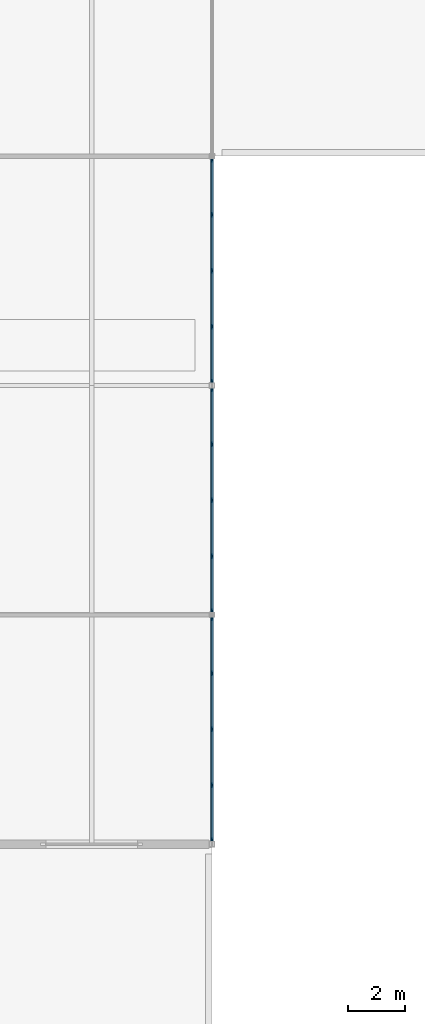
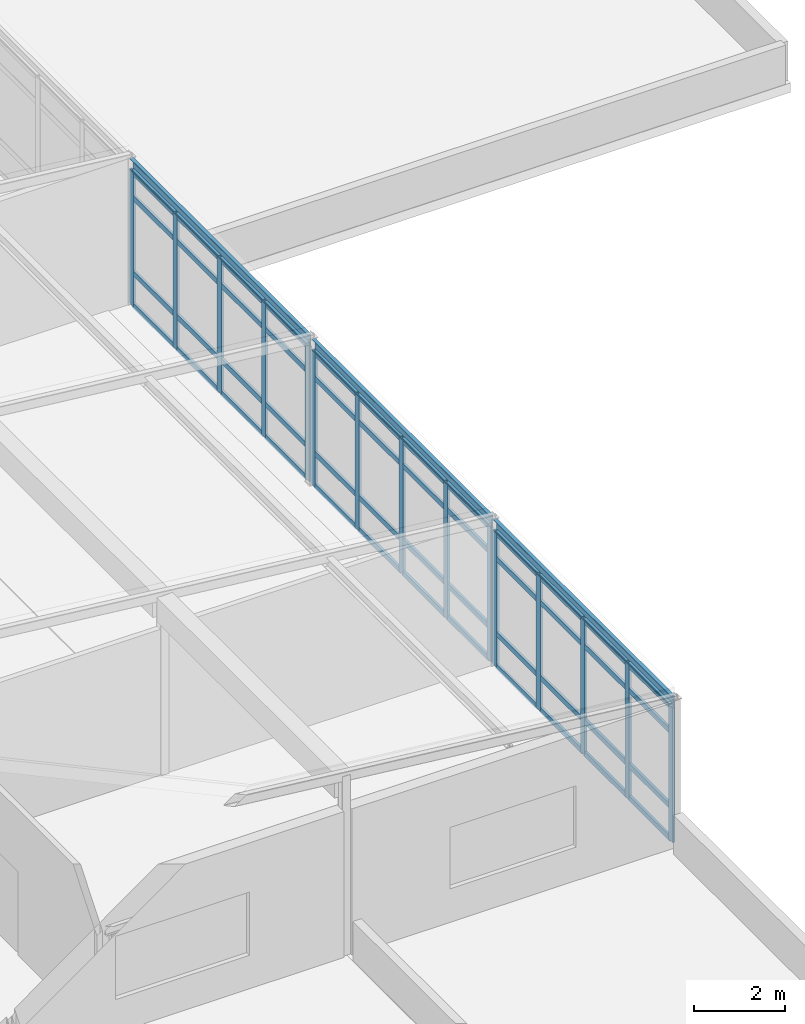
# One storey, part 10 of 25: 63 members, 3 beams, 3 elements without a shape of their own.
"""IFC4 building model written with IfcOpenShell, lengths in metres."""

from ifc_helpers import new_model, si_unit, direction, frame, origin, origin_2d, place, context, subcontext, project, spatial, rectangle, u_section, extrude, material, layer, layer_set, material_profile, profile_set, type_object, element, aggregate, save


model = new_model("IFC4")

# Units and contexts
model_context = context("Model", 3, precision=1e-05, world=origin(), true_north=direction((0.0, 1.0)))
body_context = subcontext(model_context, "Body", "Model", "MODEL_VIEW")
ifc_project = project(units=[si_unit("LENGTHUNIT", "METRE"), si_unit("AREAUNIT", "SQUARE_METRE"), si_unit("VOLUMEUNIT", "CUBIC_METRE"), si_unit("PLANEANGLEUNIT", "RADIAN"), si_unit("MASSUNIT", "GRAM", prefix="KILO")], contexts=[model_context])

# Site, building, storey
site_placement = place(None, origin())
site = spatial("IfcSite", under=ifc_project, at=site_placement, CompositionType="ELEMENT")
building_placement = place(site_placement, origin())
building = spatial("IfcBuilding", under=site, at=building_placement, Name="Kranzveld Transit Interchange", CompositionType="ELEMENT")
storey_placement = place(building_placement, frame((0.0, 0.0, 21.0400390625)))
storey = spatial("IfcBuildingStorey", under=building, at=storey_placement, Name="L05", CompositionType="ELEMENT", Elevation=21.0400390625)

# Curtain wall, members
ifc_material_1 = material(Name="Bronze-anodised thermally broken aluminium", Category="aluminium")
ifc_layer = layer(ifc_material_1, 0.18505859375)
ifc_layer_set = layer_set([ifc_layer], Name="Bronze-anodised thermally broken aluminium")
curtain_wall_type = type_object("IfcCurtainWallType", Name="Control Crown Observation Facade CW-5", PredefinedType="USERDEFINED", material=ifc_layer_set)
curtain_wall_1_placement = place(storey_placement, origin())
curtain_wall_1 = element("IfcCurtainWall", 1, at=curtain_wall_1_placement, inside=storey, type_object=curtain_wall_type, Name="L05 Curtain Wall 05/J-05/K", ObjectType="CURTAIN WALL", PredefinedType="USERDEFINED")
ifc_material_2 = material(Name="Bronze-anodised thermally broken aluminium", Category="aluminium")
ifc_material_profile_1 = material_profile(ifc_material_2, rectangle(XDim=0.06494140625, YDim=0.179931640625, at=origin_2d()), Name="ALU MULLION 65x180")
ifc_profile_set_1 = profile_set([ifc_material_profile_1], Name="Bronze-anodised thermally broken aluminium")
member_type_1 = type_object("IfcMemberType", Name="Curtain Wall Mullion 65x180 Alu", PredefinedType="MULLION", material=ifc_profile_set_1)
member_1_placement = place(storey_placement, frame((33.60009765625, 64.132568359375, 0.0), z_axis=(0.0, 0.0, 1.0), x_axis=(-1.0, 0.0, 0.0)))
member_1 = element("IfcMember", 2, at=member_1_placement, type_object=member_type_1, Name="CW-5 mullion 1", PredefinedType="MULLION", context=body_context, shape_type="SweptSolid", body=[
    extrude(rectangle(XDim=0.06494140625, YDim=0.179931640625, at=origin_2d()), origin(), (0.0, 0.0, 1.0), 3.619873046875),
])
member_2_placement = place(storey_placement, frame((33.60009765625, 66.052490234375, 0.0), z_axis=(0.0, 0.0, 1.0), x_axis=(-1.0, 0.0, 0.0)))
member_2 = element("IfcMember", 3, at=member_2_placement, type_object=member_type_1, Name="CW-5 mullion 2", PredefinedType="MULLION", context=body_context, shape_type="SweptSolid", body=[
    extrude(rectangle(XDim=0.06494140625, YDim=0.179931640625, at=origin_2d()), origin(), (0.0, 0.0, 1.0), 3.619873046875),
])
member_3_placement = place(storey_placement, frame((33.60009765625, 68.0048828125, 0.0), z_axis=(0.0, 0.0, 1.0), x_axis=(-1.0, 0.0, 0.0)))
member_3 = element("IfcMember", 4, at=member_3_placement, type_object=member_type_1, Name="CW-5 mullion 3", PredefinedType="MULLION", context=body_context, shape_type="SweptSolid", body=[
    extrude(rectangle(XDim=0.06494140625, YDim=0.179931640625, at=origin_2d()), origin(), (0.0, 0.0, 1.0), 3.619873046875),
])
member_4_placement = place(storey_placement, frame((33.60009765625, 69.95751953125, 0.0), z_axis=(0.0, 0.0, 1.0), x_axis=(-1.0, 0.0, 0.0)))
member_4 = element("IfcMember", 5, at=member_4_placement, type_object=member_type_1, Name="CW-5 mullion 4", PredefinedType="MULLION", context=body_context, shape_type="SweptSolid", body=[
    extrude(rectangle(XDim=0.06494140625, YDim=0.179931640625, at=origin_2d()), origin(), (0.0, 0.0, 1.0), 3.619873046875),
])
member_5_placement = place(storey_placement, frame((33.60009765625, 71.87744140625, 0.0), z_axis=(0.0, 0.0, 1.0), x_axis=(-1.0, 0.0, 0.0)))
member_5 = element("IfcMember", 6, at=member_5_placement, type_object=member_type_1, Name="CW-5 mullion 5", PredefinedType="MULLION", context=body_context, shape_type="SweptSolid", body=[
    extrude(rectangle(XDim=0.06494140625, YDim=0.179931640625, at=origin_2d()), origin(), (0.0, 0.0, 1.0), 3.619873046875),
])

curtain_wall_2_placement = place(storey_placement, origin())
curtain_wall_2 = element("IfcCurtainWall", 7, at=curtain_wall_2_placement, inside=storey, type_object=curtain_wall_type, Name="L05 Curtain Wall 05/K-05/L", ObjectType="CURTAIN WALL", PredefinedType="USERDEFINED")
member_6_placement = place(storey_placement, frame((33.60009765625, 72.12255859375, 0.0), z_axis=(0.0, 0.0, 1.0), x_axis=(-1.0, 0.0, 0.0)))
member_6 = element("IfcMember", 8, at=member_6_placement, type_object=member_type_1, Name="CW-5 mullion 1", PredefinedType="MULLION", context=body_context, shape_type="SweptSolid", body=[
    extrude(rectangle(XDim=0.06494140625, YDim=0.179931640625, at=origin_2d()), origin(), (0.0, 0.0, 1.0), 3.619873046875),
])
member_7_placement = place(storey_placement, frame((33.60009765625, 74.04248046875, 0.0), z_axis=(0.0, 0.0, 1.0), x_axis=(-1.0, 0.0, 0.0)))
member_7 = element("IfcMember", 9, at=member_7_placement, type_object=member_type_1, Name="CW-5 mullion 2", PredefinedType="MULLION", context=body_context, shape_type="SweptSolid", body=[
    extrude(rectangle(XDim=0.06494140625, YDim=0.179931640625, at=origin_2d()), origin(), (0.0, 0.0, 1.0), 3.619873046875),
])
member_8_placement = place(storey_placement, frame((33.60009765625, 75.9951171875, 0.0), z_axis=(0.0, 0.0, 1.0), x_axis=(-1.0, 0.0, 0.0)))
member_8 = element("IfcMember", 10, at=member_8_placement, type_object=member_type_1, Name="CW-5 mullion 3", PredefinedType="MULLION", context=body_context, shape_type="SweptSolid", body=[
    extrude(rectangle(XDim=0.06494140625, YDim=0.179931640625, at=origin_2d()), origin(), (0.0, 0.0, 1.0), 3.619873046875),
])
member_9_placement = place(storey_placement, frame((33.60009765625, 77.947509765625, 0.0), z_axis=(0.0, 0.0, 1.0), x_axis=(-1.0, 0.0, 0.0)))
member_9 = element("IfcMember", 11, at=member_9_placement, type_object=member_type_1, Name="CW-5 mullion 4", PredefinedType="MULLION", context=body_context, shape_type="SweptSolid", body=[
    extrude(rectangle(XDim=0.06494140625, YDim=0.179931640625, at=origin_2d()), origin(), (0.0, 0.0, 1.0), 3.619873046875),
])
member_10_placement = place(storey_placement, frame((33.60009765625, 79.867431640625, 0.0), z_axis=(0.0, 0.0, 1.0), x_axis=(-1.0, 0.0, 0.0)))
member_10 = element("IfcMember", 12, at=member_10_placement, type_object=member_type_1, Name="CW-5 mullion 5", PredefinedType="MULLION", context=body_context, shape_type="SweptSolid", body=[
    extrude(rectangle(XDim=0.06494140625, YDim=0.179931640625, at=origin_2d()), origin(), (0.0, 0.0, 1.0), 3.619873046875),
])

curtain_wall_3_placement = place(storey_placement, origin())
curtain_wall_3 = element("IfcCurtainWall", 13, at=curtain_wall_3_placement, inside=storey, type_object=curtain_wall_type, Name="L05 Curtain Wall 05/L-05/M", ObjectType="CURTAIN WALL", PredefinedType="USERDEFINED")
member_11_placement = place(storey_placement, frame((33.60009765625, 80.132568359375, 0.0), z_axis=(0.0, 0.0, 1.0), x_axis=(-1.0, 0.0, 0.0)))
member_11 = element("IfcMember", 14, at=member_11_placement, type_object=member_type_1, Name="CW-5 mullion 1", PredefinedType="MULLION", context=body_context, shape_type="SweptSolid", body=[
    extrude(rectangle(XDim=0.06494140625, YDim=0.179931640625, at=origin_2d()), origin(), (0.0, 0.0, 1.0), 3.619873046875),
])
member_12_placement = place(storey_placement, frame((33.60009765625, 82.052490234375, 0.0), z_axis=(0.0, 0.0, 1.0), x_axis=(-1.0, 0.0, 0.0)))
member_12 = element("IfcMember", 15, at=member_12_placement, type_object=member_type_1, Name="CW-5 mullion 2", PredefinedType="MULLION", context=body_context, shape_type="SweptSolid", body=[
    extrude(rectangle(XDim=0.06494140625, YDim=0.179931640625, at=origin_2d()), origin(), (0.0, 0.0, 1.0), 3.619873046875),
])
member_13_placement = place(storey_placement, frame((33.60009765625, 84.0048828125, 0.0), z_axis=(0.0, 0.0, 1.0), x_axis=(-1.0, 0.0, 0.0)))
member_13 = element("IfcMember", 16, at=member_13_placement, type_object=member_type_1, Name="CW-5 mullion 3", PredefinedType="MULLION", context=body_context, shape_type="SweptSolid", body=[
    extrude(rectangle(XDim=0.06494140625, YDim=0.179931640625, at=origin_2d()), origin(), (0.0, 0.0, 1.0), 3.619873046875),
])
member_14_placement = place(storey_placement, frame((33.60009765625, 85.95751953125, 0.0), z_axis=(0.0, 0.0, 1.0), x_axis=(-1.0, 0.0, 0.0)))
member_14 = element("IfcMember", 17, at=member_14_placement, type_object=member_type_1, Name="CW-5 mullion 4", PredefinedType="MULLION", context=body_context, shape_type="SweptSolid", body=[
    extrude(rectangle(XDim=0.06494140625, YDim=0.179931640625, at=origin_2d()), origin(), (0.0, 0.0, 1.0), 3.619873046875),
])
member_15_placement = place(storey_placement, frame((33.60009765625, 87.87744140625, 0.0), z_axis=(0.0, 0.0, 1.0), x_axis=(-1.0, 0.0, 0.0)))
member_15 = element("IfcMember", 18, at=member_15_placement, type_object=member_type_1, Name="CW-5 mullion 5", PredefinedType="MULLION", context=body_context, shape_type="SweptSolid", body=[
    extrude(rectangle(XDim=0.06494140625, YDim=0.179931640625, at=origin_2d()), origin(), (0.0, 0.0, 1.0), 3.619873046875),
])

# Member
ifc_material_3 = material(Name="Bronze-anodised thermally broken aluminium", Category="aluminium")
ifc_material_profile_2 = material_profile(ifc_material_3, rectangle(XDim=0.06494140625, YDim=0.139892578125, at=origin_2d()), Name="ALU TRANSOM 65x140")
ifc_profile_set_2 = profile_set([ifc_material_profile_2], Name="Bronze-anodised thermally broken aluminium")
member_type_2 = type_object("IfcMemberType", Name="Curtain Wall Transom 65x140 Alu", PredefinedType="USERDEFINED", material=ifc_profile_set_2)
member_16_placement = place(storey_placement, frame((33.60009765625, 64.1650390625, 0.032470703125), z_axis=(0.0, 1.0, 0.0), x_axis=(-1.0, 0.0, 0.0)))
member_16 = element("IfcMember", 19, at=member_16_placement, type_object=member_type_2, Name="CW-5 transom 1.1", ObjectType="TRANSOM", PredefinedType="USERDEFINED", context=body_context, shape_type="SweptSolid", body=[
    extrude(rectangle(XDim=0.06494140625, YDim=0.139892578125, at=origin_2d()), origin(), (0.0, 0.0, 1.0), 1.85498046875),
])

member_17_placement = place(storey_placement, frame((33.60009765625, 64.1650390625, 0.89990234375), z_axis=(0.0, 1.0, 0.0), x_axis=(-1.0, 0.0, 0.0)))
member_17 = element("IfcMember", 20, at=member_17_placement, type_object=member_type_2, Name="CW-5 transom 1.2", ObjectType="TRANSOM", PredefinedType="USERDEFINED", context=body_context, shape_type="SweptSolid", body=[
    extrude(rectangle(XDim=0.06494140625, YDim=0.139892578125, at=origin_2d()), origin(), (0.0, 0.0, 1.0), 1.85498046875),
])

member_18_placement = place(storey_placement, frame((33.60009765625, 64.1650390625, 2.919921875), z_axis=(0.0, 1.0, 0.0), x_axis=(-1.0, 0.0, 0.0)))
member_18 = element("IfcMember", 21, at=member_18_placement, type_object=member_type_2, Name="CW-5 transom 1.3", ObjectType="TRANSOM", PredefinedType="USERDEFINED", context=body_context, shape_type="SweptSolid", body=[
    extrude(rectangle(XDim=0.06494140625, YDim=0.139892578125, at=origin_2d()), origin(), (0.0, 0.0, 1.0), 1.85498046875),
])

member_19_placement = place(storey_placement, frame((33.60009765625, 64.1650390625, 3.58740234375), z_axis=(0.0, 1.0, 0.0), x_axis=(-1.0, 0.0, 0.0)))
member_19 = element("IfcMember", 22, at=member_19_placement, type_object=member_type_2, Name="CW-5 transom 1.4", ObjectType="TRANSOM", PredefinedType="USERDEFINED", context=body_context, shape_type="SweptSolid", body=[
    extrude(rectangle(XDim=0.06494140625, YDim=0.139892578125, at=origin_2d()), origin(), (0.0, 0.0, 1.0), 1.85498046875),
])

member_20_placement = place(storey_placement, frame((33.60009765625, 66.0849609375, 0.032470703125), z_axis=(0.0, 1.0, 0.0), x_axis=(-1.0, 0.0, 0.0)))
member_20 = element("IfcMember", 23, at=member_20_placement, type_object=member_type_2, Name="CW-5 transom 2.1", ObjectType="TRANSOM", PredefinedType="USERDEFINED", context=body_context, shape_type="SweptSolid", body=[
    extrude(rectangle(XDim=0.06494140625, YDim=0.139892578125, at=origin_2d()), origin(), (0.0, 0.0, 1.0), 1.887451171875),
])

member_21_placement = place(storey_placement, frame((33.60009765625, 66.0849609375, 0.89990234375), z_axis=(0.0, 1.0, 0.0), x_axis=(-1.0, 0.0, 0.0)))
member_21 = element("IfcMember", 24, at=member_21_placement, type_object=member_type_2, Name="CW-5 transom 2.2", ObjectType="TRANSOM", PredefinedType="USERDEFINED", context=body_context, shape_type="SweptSolid", body=[
    extrude(rectangle(XDim=0.06494140625, YDim=0.139892578125, at=origin_2d()), origin(), (0.0, 0.0, 1.0), 1.887451171875),
])

member_22_placement = place(storey_placement, frame((33.60009765625, 66.0849609375, 2.919921875), z_axis=(0.0, 1.0, 0.0), x_axis=(-1.0, 0.0, 0.0)))
member_22 = element("IfcMember", 25, at=member_22_placement, type_object=member_type_2, Name="CW-5 transom 2.3", ObjectType="TRANSOM", PredefinedType="USERDEFINED", context=body_context, shape_type="SweptSolid", body=[
    extrude(rectangle(XDim=0.06494140625, YDim=0.139892578125, at=origin_2d()), origin(), (0.0, 0.0, 1.0), 1.887451171875),
])

member_23_placement = place(storey_placement, frame((33.60009765625, 66.0849609375, 3.58740234375), z_axis=(0.0, 1.0, 0.0), x_axis=(-1.0, 0.0, 0.0)))
member_23 = element("IfcMember", 26, at=member_23_placement, type_object=member_type_2, Name="CW-5 transom 2.4", ObjectType="TRANSOM", PredefinedType="USERDEFINED", context=body_context, shape_type="SweptSolid", body=[
    extrude(rectangle(XDim=0.06494140625, YDim=0.139892578125, at=origin_2d()), origin(), (0.0, 0.0, 1.0), 1.887451171875),
])

member_24_placement = place(storey_placement, frame((33.60009765625, 68.03759765625, 0.032470703125), z_axis=(0.0, 1.0, 0.0), x_axis=(-1.0, 0.0, 0.0)))
member_24 = element("IfcMember", 27, at=member_24_placement, type_object=member_type_2, Name="CW-5 transom 3.1", ObjectType="TRANSOM", PredefinedType="USERDEFINED", context=body_context, shape_type="SweptSolid", body=[
    extrude(rectangle(XDim=0.06494140625, YDim=0.139892578125, at=origin_2d()), origin(), (0.0, 0.0, 1.0), 1.887451171875),
])

member_25_placement = place(storey_placement, frame((33.60009765625, 68.03759765625, 0.89990234375), z_axis=(0.0, 1.0, 0.0), x_axis=(-1.0, 0.0, 0.0)))
member_25 = element("IfcMember", 28, at=member_25_placement, type_object=member_type_2, Name="CW-5 transom 3.2", ObjectType="TRANSOM", PredefinedType="USERDEFINED", context=body_context, shape_type="SweptSolid", body=[
    extrude(rectangle(XDim=0.06494140625, YDim=0.139892578125, at=origin_2d()), origin(), (0.0, 0.0, 1.0), 1.887451171875),
])

member_26_placement = place(storey_placement, frame((33.60009765625, 68.03759765625, 2.919921875), z_axis=(0.0, 1.0, 0.0), x_axis=(-1.0, 0.0, 0.0)))
member_26 = element("IfcMember", 29, at=member_26_placement, type_object=member_type_2, Name="CW-5 transom 3.3", ObjectType="TRANSOM", PredefinedType="USERDEFINED", context=body_context, shape_type="SweptSolid", body=[
    extrude(rectangle(XDim=0.06494140625, YDim=0.139892578125, at=origin_2d()), origin(), (0.0, 0.0, 1.0), 1.887451171875),
])

member_27_placement = place(storey_placement, frame((33.60009765625, 68.03759765625, 3.58740234375), z_axis=(0.0, 1.0, 0.0), x_axis=(-1.0, 0.0, 0.0)))
member_27 = element("IfcMember", 30, at=member_27_placement, type_object=member_type_2, Name="CW-5 transom 3.4", ObjectType="TRANSOM", PredefinedType="USERDEFINED", context=body_context, shape_type="SweptSolid", body=[
    extrude(rectangle(XDim=0.06494140625, YDim=0.139892578125, at=origin_2d()), origin(), (0.0, 0.0, 1.0), 1.887451171875),
])

member_28_placement = place(storey_placement, frame((33.60009765625, 69.989990234375, 0.032470703125), z_axis=(0.0, 1.0, 0.0), x_axis=(-1.0, 0.0, 0.0)))
member_28 = element("IfcMember", 31, at=member_28_placement, type_object=member_type_2, Name="CW-5 transom 4.1", ObjectType="TRANSOM", PredefinedType="USERDEFINED", context=body_context, shape_type="SweptSolid", body=[
    extrude(rectangle(XDim=0.06494140625, YDim=0.139892578125, at=origin_2d()), origin(), (0.0, 0.0, 1.0), 1.85498046875),
])

member_29_placement = place(storey_placement, frame((33.60009765625, 69.989990234375, 0.89990234375), z_axis=(0.0, 1.0, 0.0), x_axis=(-1.0, 0.0, 0.0)))
member_29 = element("IfcMember", 32, at=member_29_placement, type_object=member_type_2, Name="CW-5 transom 4.2", ObjectType="TRANSOM", PredefinedType="USERDEFINED", context=body_context, shape_type="SweptSolid", body=[
    extrude(rectangle(XDim=0.06494140625, YDim=0.139892578125, at=origin_2d()), origin(), (0.0, 0.0, 1.0), 1.85498046875),
])

member_30_placement = place(storey_placement, frame((33.60009765625, 69.989990234375, 2.919921875), z_axis=(0.0, 1.0, 0.0), x_axis=(-1.0, 0.0, 0.0)))
member_30 = element("IfcMember", 33, at=member_30_placement, type_object=member_type_2, Name="CW-5 transom 4.3", ObjectType="TRANSOM", PredefinedType="USERDEFINED", context=body_context, shape_type="SweptSolid", body=[
    extrude(rectangle(XDim=0.06494140625, YDim=0.139892578125, at=origin_2d()), origin(), (0.0, 0.0, 1.0), 1.85498046875),
])

member_31_placement = place(storey_placement, frame((33.60009765625, 69.989990234375, 3.58740234375), z_axis=(0.0, 1.0, 0.0), x_axis=(-1.0, 0.0, 0.0)))
member_31 = element("IfcMember", 34, at=member_31_placement, type_object=member_type_2, Name="CW-5 transom 4.4", ObjectType="TRANSOM", PredefinedType="USERDEFINED", context=body_context, shape_type="SweptSolid", body=[
    extrude(rectangle(XDim=0.06494140625, YDim=0.139892578125, at=origin_2d()), origin(), (0.0, 0.0, 1.0), 1.85498046875),
])

aggregate(curtain_wall_1, [member_1, member_2, member_3, member_4, member_5, member_16, member_17, member_18, member_19, member_20, member_21, member_22, member_23, member_24, member_25, member_26, member_27, member_28, member_29, member_30, member_31])

member_32_placement = place(storey_placement, frame((33.60009765625, 72.155029296875, 0.032470703125), z_axis=(0.0, 1.0, 0.0), x_axis=(-1.0, 0.0, 0.0)))
member_32 = element("IfcMember", 35, at=member_32_placement, type_object=member_type_2, Name="CW-5 transom 1.1", ObjectType="TRANSOM", PredefinedType="USERDEFINED", context=body_context, shape_type="SweptSolid", body=[
    extrude(rectangle(XDim=0.06494140625, YDim=0.139892578125, at=origin_2d()), origin(), (0.0, 0.0, 1.0), 1.85498046875),
])

member_33_placement = place(storey_placement, frame((33.60009765625, 72.155029296875, 0.89990234375), z_axis=(0.0, 1.0, 0.0), x_axis=(-1.0, 0.0, 0.0)))
member_33 = element("IfcMember", 36, at=member_33_placement, type_object=member_type_2, Name="CW-5 transom 1.2", ObjectType="TRANSOM", PredefinedType="USERDEFINED", context=body_context, shape_type="SweptSolid", body=[
    extrude(rectangle(XDim=0.06494140625, YDim=0.139892578125, at=origin_2d()), origin(), (0.0, 0.0, 1.0), 1.85498046875),
])

member_34_placement = place(storey_placement, frame((33.60009765625, 72.155029296875, 2.919921875), z_axis=(0.0, 1.0, 0.0), x_axis=(-1.0, 0.0, 0.0)))
member_34 = element("IfcMember", 37, at=member_34_placement, type_object=member_type_2, Name="CW-5 transom 1.3", ObjectType="TRANSOM", PredefinedType="USERDEFINED", context=body_context, shape_type="SweptSolid", body=[
    extrude(rectangle(XDim=0.06494140625, YDim=0.139892578125, at=origin_2d()), origin(), (0.0, 0.0, 1.0), 1.85498046875),
])

member_35_placement = place(storey_placement, frame((33.60009765625, 72.155029296875, 3.58740234375), z_axis=(0.0, 1.0, 0.0), x_axis=(-1.0, 0.0, 0.0)))
member_35 = element("IfcMember", 38, at=member_35_placement, type_object=member_type_2, Name="CW-5 transom 1.4", ObjectType="TRANSOM", PredefinedType="USERDEFINED", context=body_context, shape_type="SweptSolid", body=[
    extrude(rectangle(XDim=0.06494140625, YDim=0.139892578125, at=origin_2d()), origin(), (0.0, 0.0, 1.0), 1.85498046875),
])

member_36_placement = place(storey_placement, frame((33.60009765625, 74.074951171875, 0.032470703125), z_axis=(0.0, 1.0, 0.0), x_axis=(-1.0, 0.0, 0.0)))
member_36 = element("IfcMember", 39, at=member_36_placement, type_object=member_type_2, Name="CW-5 transom 2.1", ObjectType="TRANSOM", PredefinedType="USERDEFINED", context=body_context, shape_type="SweptSolid", body=[
    extrude(rectangle(XDim=0.06494140625, YDim=0.139892578125, at=origin_2d()), origin(), (0.0, 0.0, 1.0), 1.887451171875),
])

member_37_placement = place(storey_placement, frame((33.60009765625, 74.074951171875, 0.89990234375), z_axis=(0.0, 1.0, 0.0), x_axis=(-1.0, 0.0, 0.0)))
member_37 = element("IfcMember", 40, at=member_37_placement, type_object=member_type_2, Name="CW-5 transom 2.2", ObjectType="TRANSOM", PredefinedType="USERDEFINED", context=body_context, shape_type="SweptSolid", body=[
    extrude(rectangle(XDim=0.06494140625, YDim=0.139892578125, at=origin_2d()), origin(), (0.0, 0.0, 1.0), 1.887451171875),
])

member_38_placement = place(storey_placement, frame((33.60009765625, 74.074951171875, 2.919921875), z_axis=(0.0, 1.0, 0.0), x_axis=(-1.0, 0.0, 0.0)))
member_38 = element("IfcMember", 41, at=member_38_placement, type_object=member_type_2, Name="CW-5 transom 2.3", ObjectType="TRANSOM", PredefinedType="USERDEFINED", context=body_context, shape_type="SweptSolid", body=[
    extrude(rectangle(XDim=0.06494140625, YDim=0.139892578125, at=origin_2d()), origin(), (0.0, 0.0, 1.0), 1.887451171875),
])

member_39_placement = place(storey_placement, frame((33.60009765625, 74.074951171875, 3.58740234375), z_axis=(0.0, 1.0, 0.0), x_axis=(-1.0, 0.0, 0.0)))
member_39 = element("IfcMember", 42, at=member_39_placement, type_object=member_type_2, Name="CW-5 transom 2.4", ObjectType="TRANSOM", PredefinedType="USERDEFINED", context=body_context, shape_type="SweptSolid", body=[
    extrude(rectangle(XDim=0.06494140625, YDim=0.139892578125, at=origin_2d()), origin(), (0.0, 0.0, 1.0), 1.887451171875),
])

member_40_placement = place(storey_placement, frame((33.60009765625, 76.027587890625, 0.032470703125), z_axis=(0.0, 1.0, 0.0), x_axis=(-1.0, 0.0, 0.0)))
member_40 = element("IfcMember", 43, at=member_40_placement, type_object=member_type_2, Name="CW-5 transom 3.1", ObjectType="TRANSOM", PredefinedType="USERDEFINED", context=body_context, shape_type="SweptSolid", body=[
    extrude(rectangle(XDim=0.06494140625, YDim=0.139892578125, at=origin_2d()), origin(), (0.0, 0.0, 1.0), 1.887451171875),
])

member_41_placement = place(storey_placement, frame((33.60009765625, 76.027587890625, 0.89990234375), z_axis=(0.0, 1.0, 0.0), x_axis=(-1.0, 0.0, 0.0)))
member_41 = element("IfcMember", 44, at=member_41_placement, type_object=member_type_2, Name="CW-5 transom 3.2", ObjectType="TRANSOM", PredefinedType="USERDEFINED", context=body_context, shape_type="SweptSolid", body=[
    extrude(rectangle(XDim=0.06494140625, YDim=0.139892578125, at=origin_2d()), origin(), (0.0, 0.0, 1.0), 1.887451171875),
])

member_42_placement = place(storey_placement, frame((33.60009765625, 76.027587890625, 2.919921875), z_axis=(0.0, 1.0, 0.0), x_axis=(-1.0, 0.0, 0.0)))
member_42 = element("IfcMember", 45, at=member_42_placement, type_object=member_type_2, Name="CW-5 transom 3.3", ObjectType="TRANSOM", PredefinedType="USERDEFINED", context=body_context, shape_type="SweptSolid", body=[
    extrude(rectangle(XDim=0.06494140625, YDim=0.139892578125, at=origin_2d()), origin(), (0.0, 0.0, 1.0), 1.887451171875),
])

member_43_placement = place(storey_placement, frame((33.60009765625, 76.027587890625, 3.58740234375), z_axis=(0.0, 1.0, 0.0), x_axis=(-1.0, 0.0, 0.0)))
member_43 = element("IfcMember", 46, at=member_43_placement, type_object=member_type_2, Name="CW-5 transom 3.4", ObjectType="TRANSOM", PredefinedType="USERDEFINED", context=body_context, shape_type="SweptSolid", body=[
    extrude(rectangle(XDim=0.06494140625, YDim=0.139892578125, at=origin_2d()), origin(), (0.0, 0.0, 1.0), 1.887451171875),
])

member_44_placement = place(storey_placement, frame((33.60009765625, 77.97998046875, 0.032470703125), z_axis=(0.0, 1.0, 0.0), x_axis=(-1.0, 0.0, 0.0)))
member_44 = element("IfcMember", 47, at=member_44_placement, type_object=member_type_2, Name="CW-5 transom 4.1", ObjectType="TRANSOM", PredefinedType="USERDEFINED", context=body_context, shape_type="SweptSolid", body=[
    extrude(rectangle(XDim=0.06494140625, YDim=0.139892578125, at=origin_2d()), origin(), (0.0, 0.0, 1.0), 1.85498046875),
])

member_45_placement = place(storey_placement, frame((33.60009765625, 77.97998046875, 0.89990234375), z_axis=(0.0, 1.0, 0.0), x_axis=(-1.0, 0.0, 0.0)))
member_45 = element("IfcMember", 48, at=member_45_placement, type_object=member_type_2, Name="CW-5 transom 4.2", ObjectType="TRANSOM", PredefinedType="USERDEFINED", context=body_context, shape_type="SweptSolid", body=[
    extrude(rectangle(XDim=0.06494140625, YDim=0.139892578125, at=origin_2d()), origin(), (0.0, 0.0, 1.0), 1.85498046875),
])

member_46_placement = place(storey_placement, frame((33.60009765625, 77.97998046875, 2.919921875), z_axis=(0.0, 1.0, 0.0), x_axis=(-1.0, 0.0, 0.0)))
member_46 = element("IfcMember", 49, at=member_46_placement, type_object=member_type_2, Name="CW-5 transom 4.3", ObjectType="TRANSOM", PredefinedType="USERDEFINED", context=body_context, shape_type="SweptSolid", body=[
    extrude(rectangle(XDim=0.06494140625, YDim=0.139892578125, at=origin_2d()), origin(), (0.0, 0.0, 1.0), 1.85498046875),
])

member_47_placement = place(storey_placement, frame((33.60009765625, 77.97998046875, 3.58740234375), z_axis=(0.0, 1.0, 0.0), x_axis=(-1.0, 0.0, 0.0)))
member_47 = element("IfcMember", 50, at=member_47_placement, type_object=member_type_2, Name="CW-5 transom 4.4", ObjectType="TRANSOM", PredefinedType="USERDEFINED", context=body_context, shape_type="SweptSolid", body=[
    extrude(rectangle(XDim=0.06494140625, YDim=0.139892578125, at=origin_2d()), origin(), (0.0, 0.0, 1.0), 1.85498046875),
])

aggregate(curtain_wall_2, [member_6, member_7, member_8, member_9, member_10, member_32, member_33, member_34, member_35, member_36, member_37, member_38, member_39, member_40, member_41, member_42, member_43, member_44, member_45, member_46, member_47])

member_48_placement = place(storey_placement, frame((33.60009765625, 80.1650390625, 0.032470703125), z_axis=(0.0, 1.0, 0.0), x_axis=(-1.0, 0.0, 0.0)))
member_48 = element("IfcMember", 51, at=member_48_placement, type_object=member_type_2, Name="CW-5 transom 1.1", ObjectType="TRANSOM", PredefinedType="USERDEFINED", context=body_context, shape_type="SweptSolid", body=[
    extrude(rectangle(XDim=0.06494140625, YDim=0.139892578125, at=origin_2d()), origin(), (0.0, 0.0, 1.0), 1.85498046875),
])

member_49_placement = place(storey_placement, frame((33.60009765625, 80.1650390625, 0.89990234375), z_axis=(0.0, 1.0, 0.0), x_axis=(-1.0, 0.0, 0.0)))
member_49 = element("IfcMember", 52, at=member_49_placement, type_object=member_type_2, Name="CW-5 transom 1.2", ObjectType="TRANSOM", PredefinedType="USERDEFINED", context=body_context, shape_type="SweptSolid", body=[
    extrude(rectangle(XDim=0.06494140625, YDim=0.139892578125, at=origin_2d()), origin(), (0.0, 0.0, 1.0), 1.85498046875),
])

member_50_placement = place(storey_placement, frame((33.60009765625, 80.1650390625, 2.919921875), z_axis=(0.0, 1.0, 0.0), x_axis=(-1.0, 0.0, 0.0)))
member_50 = element("IfcMember", 53, at=member_50_placement, type_object=member_type_2, Name="CW-5 transom 1.3", ObjectType="TRANSOM", PredefinedType="USERDEFINED", context=body_context, shape_type="SweptSolid", body=[
    extrude(rectangle(XDim=0.06494140625, YDim=0.139892578125, at=origin_2d()), origin(), (0.0, 0.0, 1.0), 1.85498046875),
])

member_51_placement = place(storey_placement, frame((33.60009765625, 80.1650390625, 3.58740234375), z_axis=(0.0, 1.0, 0.0), x_axis=(-1.0, 0.0, 0.0)))
member_51 = element("IfcMember", 54, at=member_51_placement, type_object=member_type_2, Name="CW-5 transom 1.4", ObjectType="TRANSOM", PredefinedType="USERDEFINED", context=body_context, shape_type="SweptSolid", body=[
    extrude(rectangle(XDim=0.06494140625, YDim=0.139892578125, at=origin_2d()), origin(), (0.0, 0.0, 1.0), 1.85498046875),
])

member_52_placement = place(storey_placement, frame((33.60009765625, 82.0849609375, 0.032470703125), z_axis=(0.0, 1.0, 0.0), x_axis=(-1.0, 0.0, 0.0)))
member_52 = element("IfcMember", 55, at=member_52_placement, type_object=member_type_2, Name="CW-5 transom 2.1", ObjectType="TRANSOM", PredefinedType="USERDEFINED", context=body_context, shape_type="SweptSolid", body=[
    extrude(rectangle(XDim=0.06494140625, YDim=0.139892578125, at=origin_2d()), origin(), (0.0, 0.0, 1.0), 1.887451171875),
])

member_53_placement = place(storey_placement, frame((33.60009765625, 82.0849609375, 0.89990234375), z_axis=(0.0, 1.0, 0.0), x_axis=(-1.0, 0.0, 0.0)))
member_53 = element("IfcMember", 56, at=member_53_placement, type_object=member_type_2, Name="CW-5 transom 2.2", ObjectType="TRANSOM", PredefinedType="USERDEFINED", context=body_context, shape_type="SweptSolid", body=[
    extrude(rectangle(XDim=0.06494140625, YDim=0.139892578125, at=origin_2d()), origin(), (0.0, 0.0, 1.0), 1.887451171875),
])

member_54_placement = place(storey_placement, frame((33.60009765625, 82.0849609375, 2.919921875), z_axis=(0.0, 1.0, 0.0), x_axis=(-1.0, 0.0, 0.0)))
member_54 = element("IfcMember", 57, at=member_54_placement, type_object=member_type_2, Name="CW-5 transom 2.3", ObjectType="TRANSOM", PredefinedType="USERDEFINED", context=body_context, shape_type="SweptSolid", body=[
    extrude(rectangle(XDim=0.06494140625, YDim=0.139892578125, at=origin_2d()), origin(), (0.0, 0.0, 1.0), 1.887451171875),
])

member_55_placement = place(storey_placement, frame((33.60009765625, 82.0849609375, 3.58740234375), z_axis=(0.0, 1.0, 0.0), x_axis=(-1.0, 0.0, 0.0)))
member_55 = element("IfcMember", 58, at=member_55_placement, type_object=member_type_2, Name="CW-5 transom 2.4", ObjectType="TRANSOM", PredefinedType="USERDEFINED", context=body_context, shape_type="SweptSolid", body=[
    extrude(rectangle(XDim=0.06494140625, YDim=0.139892578125, at=origin_2d()), origin(), (0.0, 0.0, 1.0), 1.887451171875),
])

member_56_placement = place(storey_placement, frame((33.60009765625, 84.03759765625, 0.032470703125), z_axis=(0.0, 1.0, 0.0), x_axis=(-1.0, 0.0, 0.0)))
member_56 = element("IfcMember", 59, at=member_56_placement, type_object=member_type_2, Name="CW-5 transom 3.1", ObjectType="TRANSOM", PredefinedType="USERDEFINED", context=body_context, shape_type="SweptSolid", body=[
    extrude(rectangle(XDim=0.06494140625, YDim=0.139892578125, at=origin_2d()), origin(), (0.0, 0.0, 1.0), 1.887451171875),
])

member_57_placement = place(storey_placement, frame((33.60009765625, 84.03759765625, 0.89990234375), z_axis=(0.0, 1.0, 0.0), x_axis=(-1.0, 0.0, 0.0)))
member_57 = element("IfcMember", 60, at=member_57_placement, type_object=member_type_2, Name="CW-5 transom 3.2", ObjectType="TRANSOM", PredefinedType="USERDEFINED", context=body_context, shape_type="SweptSolid", body=[
    extrude(rectangle(XDim=0.06494140625, YDim=0.139892578125, at=origin_2d()), origin(), (0.0, 0.0, 1.0), 1.887451171875),
])

member_58_placement = place(storey_placement, frame((33.60009765625, 84.03759765625, 2.919921875), z_axis=(0.0, 1.0, 0.0), x_axis=(-1.0, 0.0, 0.0)))
member_58 = element("IfcMember", 61, at=member_58_placement, type_object=member_type_2, Name="CW-5 transom 3.3", ObjectType="TRANSOM", PredefinedType="USERDEFINED", context=body_context, shape_type="SweptSolid", body=[
    extrude(rectangle(XDim=0.06494140625, YDim=0.139892578125, at=origin_2d()), origin(), (0.0, 0.0, 1.0), 1.887451171875),
])

member_59_placement = place(storey_placement, frame((33.60009765625, 84.03759765625, 3.58740234375), z_axis=(0.0, 1.0, 0.0), x_axis=(-1.0, 0.0, 0.0)))
member_59 = element("IfcMember", 62, at=member_59_placement, type_object=member_type_2, Name="CW-5 transom 3.4", ObjectType="TRANSOM", PredefinedType="USERDEFINED", context=body_context, shape_type="SweptSolid", body=[
    extrude(rectangle(XDim=0.06494140625, YDim=0.139892578125, at=origin_2d()), origin(), (0.0, 0.0, 1.0), 1.887451171875),
])

member_60_placement = place(storey_placement, frame((33.60009765625, 85.989990234375, 0.032470703125), z_axis=(0.0, 1.0, 0.0), x_axis=(-1.0, 0.0, 0.0)))
member_60 = element("IfcMember", 63, at=member_60_placement, type_object=member_type_2, Name="CW-5 transom 4.1", ObjectType="TRANSOM", PredefinedType="USERDEFINED", context=body_context, shape_type="SweptSolid", body=[
    extrude(rectangle(XDim=0.06494140625, YDim=0.139892578125, at=origin_2d()), origin(), (0.0, 0.0, 1.0), 1.85498046875),
])

member_61_placement = place(storey_placement, frame((33.60009765625, 85.989990234375, 0.89990234375), z_axis=(0.0, 1.0, 0.0), x_axis=(-1.0, 0.0, 0.0)))
member_61 = element("IfcMember", 64, at=member_61_placement, type_object=member_type_2, Name="CW-5 transom 4.2", ObjectType="TRANSOM", PredefinedType="USERDEFINED", context=body_context, shape_type="SweptSolid", body=[
    extrude(rectangle(XDim=0.06494140625, YDim=0.139892578125, at=origin_2d()), origin(), (0.0, 0.0, 1.0), 1.85498046875),
])

member_62_placement = place(storey_placement, frame((33.60009765625, 85.989990234375, 2.919921875), z_axis=(0.0, 1.0, 0.0), x_axis=(-1.0, 0.0, 0.0)))
member_62 = element("IfcMember", 65, at=member_62_placement, type_object=member_type_2, Name="CW-5 transom 4.3", ObjectType="TRANSOM", PredefinedType="USERDEFINED", context=body_context, shape_type="SweptSolid", body=[
    extrude(rectangle(XDim=0.06494140625, YDim=0.139892578125, at=origin_2d()), origin(), (0.0, 0.0, 1.0), 1.85498046875),
])

member_63_placement = place(storey_placement, frame((33.60009765625, 85.989990234375, 3.58740234375), z_axis=(0.0, 1.0, 0.0), x_axis=(-1.0, 0.0, 0.0)))
member_63 = element("IfcMember", 66, at=member_63_placement, type_object=member_type_2, Name="CW-5 transom 4.4", ObjectType="TRANSOM", PredefinedType="USERDEFINED", context=body_context, shape_type="SweptSolid", body=[
    extrude(rectangle(XDim=0.06494140625, YDim=0.139892578125, at=origin_2d()), origin(), (0.0, 0.0, 1.0), 1.85498046875),
])

aggregate(curtain_wall_3, [member_11, member_12, member_13, member_14, member_15, member_48, member_49, member_50, member_51, member_52, member_53, member_54, member_55, member_56, member_57, member_58, member_59, member_60, member_61, member_62, member_63])

# Beams
ifc_material_4 = material(Name="Steel S355JR", Category="steel")
ifc_material_profile_3 = material_profile(ifc_material_4, u_section(Depth=0.300048828125, FlangeWidth=0.090087890625, WebThickness=0.009033203125, FlangeThickness=0.015380859375, FilletRadius=0.011962890625, at=origin_2d()), Name="PFC 300x90x41")
ifc_profile_set_3 = profile_set([ifc_material_profile_3], Name="Steel S355JR")
beam_type = type_object("IfcBeamType", Name="Edge Spandrel PFC 300x90x41 S355JR", PredefinedType="SPANDREL", material=ifc_profile_set_3)
for number, where, z_axis, x_axis, name in (
    (67, (33.60009765625, 64.090087890625, 3.77001953125), (0.0, 1.0, 0.0), (-1.0, 0.0, 0.0), "L05 Crown Beam 05/J-K"),
    (68, (33.60009765625, 72.080078125, 3.77001953125), (0.0, 1.0, 0.0), (-1.0, 0.0, 0.0), "L05 Crown Beam 05/K-L"),
    (69, (33.60009765625, 80.090087890625, 3.77001953125), (0.0, 1.0, 0.0), (-1.0, 0.0, 0.0), "L05 Crown Beam 05/L-M"),
):
    element("IfcBeam", number, at=place(storey_placement, frame(where, z_axis=z_axis, x_axis=x_axis)), inside=storey, type_object=beam_type, Name=name, PredefinedType="SPANDREL", context=body_context, shape_type="SweptSolid", body=[
        extrude(u_section(Depth=0.300048828125, FlangeWidth=0.090087890625, WebThickness=0.009033203125, FlangeThickness=0.015380859375, FilletRadius=0.011962890625, at=origin_2d()), origin(), (0.0, 0.0, 1.0), 7.829833984375),
    ])

save(model, "model.ifc")
